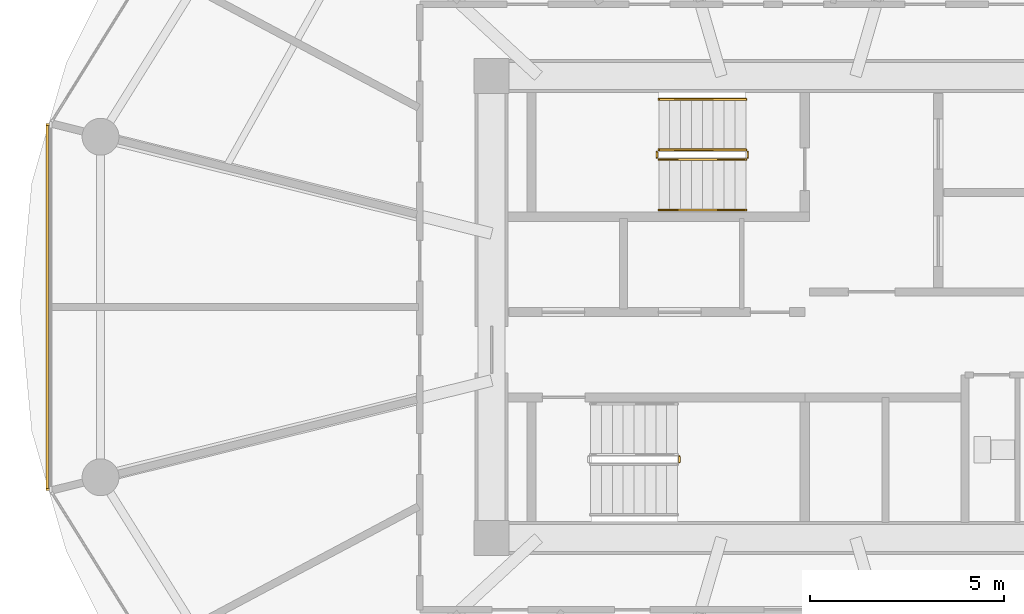
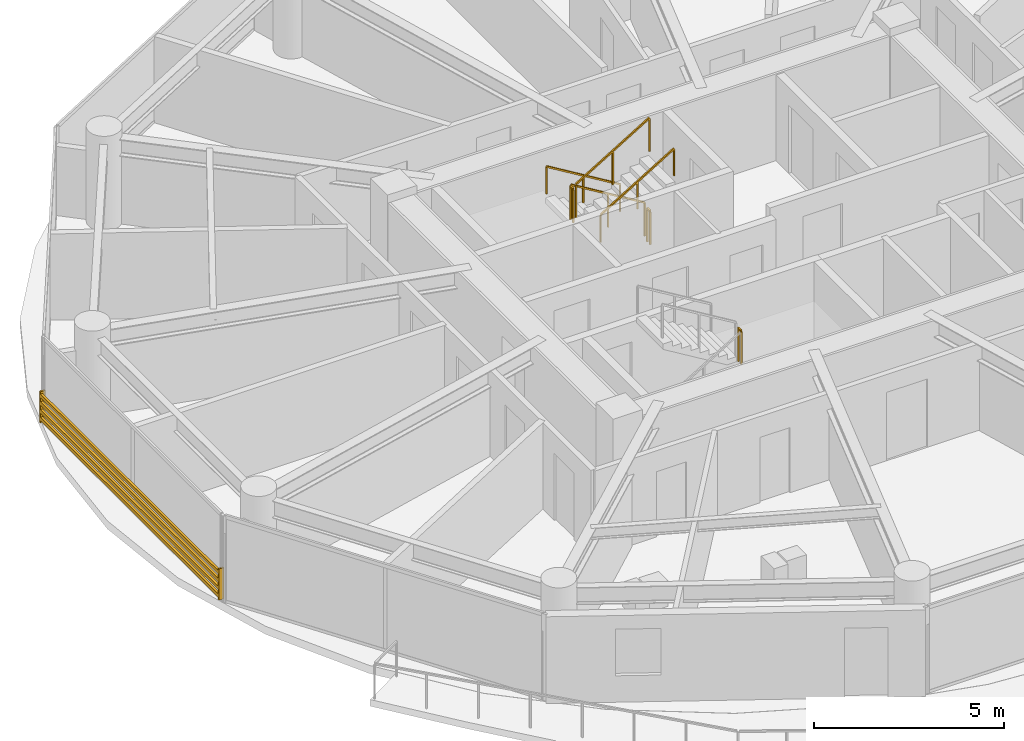
# One storey, part 23 of 27: 7 railings, 1 shading device.
"""IFC4 building model written with IfcOpenShell, lengths in metres."""

import ifcopenshell
import ifcopenshell.guid

model = None  # the IFC model being written
_history = None  # IfcOwnerHistory: only IFC2X3 demands one
_inside = {}  # id of a spatial element -> (the spatial element, [elements in it])
_under = {}  # id of a project, library or spatial element -> (it, [spatial elements below it])
_declared = {}  # id of a project -> (the project, [libraries it declares])
_typed = {}  # id of a type object -> (the type object, [elements of that type])
_made_of = {}  # id of a material, layer set ... -> (it, [elements and type objects made of it])


def new_model(schema):
    """Start an empty IFC model of exactly this schema.

    Asked for "IFC4X3", IfcOpenShell would pick the latest addendum, in which some entities
    have other attributes; the version numbers below select the first issue.
    IFC2X3 requires an IfcOwnerHistory on every rooted entity: one is made here for all.
    """
    global model, _history
    if schema == "IFC4X3":
        model = ifcopenshell.file(schema_version=(4, 3, 0, 0))
    else:
        model = ifcopenshell.file(schema=schema)
    _inside.clear()
    _under.clear()
    _declared.clear()
    _typed.clear()
    _made_of.clear()
    _history = None
    if model.schema == "IFC2X3":
        org = make("IfcOrganization", Name="unknown")
        user = make(
            "IfcPersonAndOrganization",
            ThePerson=make("IfcPerson", FamilyName="unknown"),
            TheOrganization=org,
        )
        app = make(
            "IfcApplication",
            ApplicationDeveloper=org,
            Version="unknown",
            ApplicationFullName="unknown",
            ApplicationIdentifier="unknown",
        )
        _history = make(
            "IfcOwnerHistory",
            OwningUser=user,
            OwningApplication=app,
            ChangeAction="ADDED",
            CreationDate=0,
        )
    return model


def make(cls, **values):
    """One entity of the class cls with the attributes given. An attribute that is None is left unset."""
    return model.create_entity(
        cls, **{name: value for name, value in values.items() if value is not None}
    )


def rooted(cls, **values):
    """An entity with a GlobalId (a new one), such as an element, a storey or a relation."""
    return make(cls, GlobalId=ifcopenshell.guid.new(), OwnerHistory=_history, **values)


def si_unit(unit_type, name, prefix=None):
    """IfcSIUnit, for example si_unit("LENGTHUNIT", "METRE", prefix="MILLI")."""
    return make("IfcSIUnit", UnitType=unit_type, Prefix=prefix, Name=name)


def assignment(units):
    """IfcUnitAssignment: the units of a project."""
    return None if units is None else make("IfcUnitAssignment", Units=units)


def point(xyz):
    """IfcCartesianPoint."""
    return None if xyz is None else make("IfcCartesianPoint", Coordinates=xyz)


def direction(xyz):
    """IfcDirection."""
    return None if xyz is None else make("IfcDirection", DirectionRatios=xyz)


def frame(location, z_axis=None, x_axis=None):
    """IfcAxis2Placement3D, a coordinate frame: its origin and axes. An axis left out is left unset."""
    return make(
        "IfcAxis2Placement3D",
        Location=point(location),
        Axis=direction(z_axis),
        RefDirection=direction(x_axis),
    )


def frame_2d(location, x_axis=None):
    """IfcAxis2Placement2D, a coordinate frame in the plane: its origin and x axis."""
    return make(
        "IfcAxis2Placement2D", Location=point(location), RefDirection=direction(x_axis)
    )


def origin():
    """The frame at (0, 0, 0) with its axes left unset."""
    return frame((0.0, 0.0, 0.0))


def origin_2d():
    """The frame at (0, 0) in the plane with its x axis left unset."""
    return frame_2d((0.0, 0.0))


def place(relative_to, where):
    """IfcLocalPlacement: puts the frame where relative to a parent placement (None: the world)."""
    return make(
        "IfcLocalPlacement", PlacementRelTo=relative_to, RelativePlacement=where
    )


def context(
    kind, dimensions, precision=None, world=None, true_north=None, identifier=None
):
    """IfcGeometricRepresentationContext, for example the 3D "Model" context."""
    return make(
        "IfcGeometricRepresentationContext",
        ContextIdentifier=identifier,
        ContextType=kind,
        CoordinateSpaceDimension=dimensions,
        Precision=precision,
        WorldCoordinateSystem=world,
        TrueNorth=true_north,
    )


def subcontext(parent, identifier, kind, view, scale=None):
    """IfcGeometricRepresentationSubContext, for example "Body" below "Model"."""
    return make(
        "IfcGeometricRepresentationSubContext",
        ContextIdentifier=identifier,
        ContextType=kind,
        ParentContext=parent,
        TargetScale=scale,
        TargetView=view,
    )


def project(units=None, contexts=None):
    """IfcProject with its units and contexts."""
    return rooted(
        "IfcProject",
        Name="project",
        RepresentationContexts=contexts,
        UnitsInContext=assignment(units),
    )


def spatial(cls, under=None, at=None, **own):
    """A site, building, storey or space (cls), placed at a placement, below another one or the project."""
    s = rooted(cls, ObjectPlacement=at, **own)
    if under is not None:
        _under.setdefault(under.id(), (under, []))[1].append(s)
    return s


def profile(cls, at=None, kind="AREA", **sizes):
    """A parametric profile (cls). Its sizes go by their IFC names, for example OverallWidth=200.0."""
    return make(cls, ProfileType=kind, Position=at, **sizes)


def rectangle(**sizes):
    """IfcRectangleProfileDef."""
    return profile("IfcRectangleProfileDef", **sizes)


def extrude(swept, where, along, depth):
    """IfcExtrudedAreaSolid: the profile swept, set in the frame where, extruded along a direction by depth."""
    return make(
        "IfcExtrudedAreaSolid",
        SweptArea=swept,
        Position=where,
        ExtrudedDirection=direction(along),
        Depth=depth,
    )


def shape(context_of_items, identifier, shape_type, items):
    """IfcShapeRepresentation: the items that make up one representation, for example the "Body"."""
    return make(
        "IfcShapeRepresentation",
        ContextOfItems=context_of_items,
        RepresentationIdentifier=identifier,
        RepresentationType=shape_type,
        Items=items,
    )


def source(mapping_origin, context_of_items, identifier, shape_type, items):
    """IfcRepresentationMap: a shape defined once, which mapped items show again and again."""
    return make(
        "IfcRepresentationMap",
        MappingOrigin=mapping_origin,
        MappedRepresentation=shape(context_of_items, identifier, shape_type, items),
    )


def transform(
    local_origin,
    x_axis=None,
    y_axis=None,
    z_axis=None,
    scale=None,
    scale2=None,
    scale3=None,
    uniform=True,
):
    """IfcCartesianTransformationOperator3D, or its non-uniform kind. x_axis, y_axis, z_axis: its Axis1, 2, 3."""
    if uniform:
        return make(
            "IfcCartesianTransformationOperator3D",
            Axis1=direction(x_axis),
            Axis2=direction(y_axis),
            LocalOrigin=point(local_origin),
            Scale=scale,
            Axis3=direction(z_axis),
        )
    return make(
        "IfcCartesianTransformationOperator3DnonUniform",
        Axis1=direction(x_axis),
        Axis2=direction(y_axis),
        LocalOrigin=point(local_origin),
        Scale=scale,
        Axis3=direction(z_axis),
        Scale2=scale2,
        Scale3=scale3,
    )


def mapped(mapping_source, mapping_target):
    """IfcMappedItem: shows the shape of a source again, moved by a transform."""
    return make(
        "IfcMappedItem", MappingSource=mapping_source, MappingTarget=mapping_target
    )


def material(Name=None, Category=None):
    """IfcMaterial."""
    return make("IfcMaterial", Name=Name, Category=Category)


def made_of(thing, what):
    """Note that an element or type object is made of a material, layer set ...; save() writes the relation."""
    if what is not None:
        _made_of.setdefault(what.id(), (what, []))[1].append(thing)
    return thing


def type_object(cls, material=None, **own):
    """A type object (cls), such as IfcWallType, which elements share."""
    return made_of(rooted(cls, **own), material)


def type_shapes(of_type, sources):
    """Give a type object the sources (RepresentationMaps) that its elements show as mapped items."""
    of_type.RepresentationMaps = sources


def element(
    cls,
    number,
    at=None,
    inside=None,
    cuts=None,
    type_object=None,
    material=None,
    context=None,
    identifier="Body",
    shape_type=None,
    held_by="IfcProductDefinitionShape",
    body=None,
    shapes=None,
    **own,
):
    """One element of the class cls, such as IfcWall. Its Tag is "e" and its number.

    at: its placement. inside: the storey or other place that contains it. cuts: it is an
    opening in that element (IfcRelVoidsElement). A single representation is given by context,
    identifier, shape_type and body (its items); several are given by shapes. held_by: the class
    of the entity that holds the representations. save() writes the other relations.
    """
    e = rooted(cls, Tag="e%d" % number, ObjectPlacement=at, **own)
    if body is not None:
        shapes = [shape(context, identifier, shape_type, body)]
    if shapes is not None:
        e.Representation = make(held_by, Representations=shapes)
    if inside is not None:
        _inside.setdefault(inside.id(), (inside, []))[1].append(e)
    if cuts is not None:
        rooted(
            "IfcRelVoidsElement", RelatingBuildingElement=cuts, RelatedOpeningElement=e
        )
    if type_object is not None:
        _typed.setdefault(type_object.id(), (type_object, []))[1].append(e)
    return made_of(e, material)


def aggregate(whole, parts):
    """IfcRelAggregates: a whole, such as a stair, and the parts it consists of."""
    return rooted("IfcRelAggregates", RelatingObject=whole, RelatedObjects=parts)


def save(model, path):
    """Write the relations noted so far, then the file.

    IfcRelAggregates (storeys below a building ...), IfcRelContainedInSpatialStructure (elements
    in a storey), IfcRelDefinesByType, IfcRelAssociatesMaterial and IfcRelDeclares: one each for
    every whole, place, type object, material and project.
    """
    for whole, parts in _under.values():
        aggregate(whole, parts)
    for where, things in _inside.values():
        rooted(
            "IfcRelContainedInSpatialStructure",
            RelatedElements=things,
            RelatingStructure=where,
        )
    for kind, things in _typed.values():
        rooted("IfcRelDefinesByType", RelatedObjects=things, RelatingType=kind)
    for what, things in _made_of.values():
        rooted("IfcRelAssociatesMaterial", RelatedObjects=things, RelatingMaterial=what)
    for by, libraries in _declared.values():
        rooted("IfcRelDeclares", RelatingContext=by, RelatedDefinitions=libraries)
    model.write(path)


model = new_model("IFC4")

# Units and contexts
model_context = context("Model", 3, precision=1e-05, world=origin(), true_north=direction((0.0, 1.0)))
body_context = subcontext(model_context, "Body", "Model", "MODEL_VIEW")
ifc_project = project(units=[si_unit("LENGTHUNIT", "METRE"), si_unit("AREAUNIT", "SQUARE_METRE"), si_unit("VOLUMEUNIT", "CUBIC_METRE"), si_unit("PLANEANGLEUNIT", "RADIAN"), si_unit("MASSUNIT", "GRAM", prefix="KILO")], contexts=[model_context])

# Site, building, storey
site_placement = place(None, origin())
site = spatial("IfcSite", under=ifc_project, at=site_placement, CompositionType="ELEMENT")
building_placement = place(site_placement, origin())
building = spatial("IfcBuilding", under=site, at=building_placement, Name="Norrkilde Senior Care Towers", CompositionType="ELEMENT")
storey_placement = place(building_placement, frame((0.0, 0.0, 52.10009765625)))
storey = spatial("IfcBuildingStorey", under=building, at=storey_placement, Name="L15", CompositionType="ELEMENT", Elevation=52.10009765625)

# Railings
ifc_material_1 = material(Name="Stainless Steel", Category="steel")
railing_type_1 = type_object("IfcRailingType", Name="Stair and Terrace Guardrail 1100", PredefinedType="GUARDRAIL", material=ifc_material_1)
railing_1_placement = place(storey_placement, frame((-29.10009765625, 4.050048828125, 0.16943359375)))
element("IfcRailing", 1, at=railing_1_placement, inside=storey, type_object=railing_type_1, Name="L15 ST-W1 stair guard 1", PredefinedType="GUARDRAIL", context=body_context, shape_type="SweptSolid", body=[
    extrude(rectangle(XDim=0.048095703125, YDim=0.048095703125, at=origin_2d()), frame((0.0, 0.0, 1.076171875), z_axis=(-0.855553338991, 0.0, 0.51771467445), x_axis=(0.0, -1.0, 0.0)), (0.0, 0.0, 1.0), 2.6181640625),
    extrude(rectangle(XDim=0.0419921875, YDim=0.0419921875, at=origin_2d()), origin(), (0.0, 0.0, 1.0), 1.050048828125),
    extrude(rectangle(XDim=0.0419921875, YDim=0.0419921875, at=origin_2d()), frame((-1.1201171875, 0.0, 0.677734375)), (0.0, 0.0, 1.0), 1.050048828125),
    extrude(rectangle(XDim=0.0419921875, YDim=0.0419921875, at=origin_2d()), frame((-2.239990234375, 0.0, 1.35546875)), (0.0, 0.0, 1.0), 1.050048828125),
])
railing_2_placement = place(storey_placement, frame((-31.389892578125, 4.0, 1.52490234375)))
element("IfcRailing", 2, at=railing_2_placement, inside=storey, type_object=railing_type_1, Name="L15 ST-W1 stair guard 2", PredefinedType="GUARDRAIL", context=body_context, shape_type="SweptSolid", body=[
    extrude(rectangle(XDim=0.048095703125, YDim=0.048095703125, at=origin_2d()), frame((0.0, 0.0, 1.076171875), z_axis=(0.0, -1.0, 0.0), x_axis=(1.0, 0.0, 0.0)), (0.0, 0.0, 1.0), 0.14990234375),
    extrude(rectangle(XDim=0.0419921875, YDim=0.0419921875, at=origin_2d()), origin(), (0.0, 0.0, 1.0), 1.050048828125),
    extrude(rectangle(XDim=0.0419921875, YDim=0.0419921875, at=origin_2d()), frame((0.0, -0.14990234375, 0.0)), (0.0, 0.0, 1.0), 1.050048828125),
])
railing_3_placement = place(storey_placement, frame((-31.340087890625, 3.800048828125, 1.6943359375)))
element("IfcRailing", 3, at=railing_3_placement, inside=storey, type_object=railing_type_1, Name="L15 ST-W1 stair guard 3", PredefinedType="GUARDRAIL", context=body_context, shape_type="SweptSolid", body=[
    extrude(rectangle(XDim=0.048095703125, YDim=0.048095703125, at=origin_2d()), frame((0.0, 0.0, 1.076171875), z_axis=(0.855553338991, 0.0, 0.51771467445), x_axis=(0.0, 1.0, 0.0)), (0.0, 0.0, 1.0), 2.6181640625),
    extrude(rectangle(XDim=0.0419921875, YDim=0.0419921875, at=origin_2d()), origin(), (0.0, 0.0, 1.0), 1.050048828125),
    extrude(rectangle(XDim=0.0419921875, YDim=0.0419921875, at=origin_2d()), frame((1.1201171875, 0.0, 0.677734375)), (0.0, 0.0, 1.0), 1.050048828125),
    extrude(rectangle(XDim=0.0419921875, YDim=0.0419921875, at=origin_2d()), frame((2.239990234375, 0.0, 1.35546875)), (0.0, 0.0, 1.0), 1.050048828125),
])
railing_4_placement = place(storey_placement, frame((-29.050048828125, 4.0, 0.0)))
element("IfcRailing", 4, at=railing_4_placement, inside=storey, type_object=railing_type_1, Name="L15 ST-W1 stair guard 4", PredefinedType="GUARDRAIL", context=body_context, shape_type="SweptSolid", body=[
    extrude(rectangle(XDim=0.048095703125, YDim=0.048095703125, at=origin_2d()), frame((0.0, 0.0, 1.076171875), z_axis=(0.0, -1.0, 0.0), x_axis=(1.0, 0.0, 0.0)), (0.0, 0.0, 1.0), 0.14990234375),
    extrude(rectangle(XDim=0.0419921875, YDim=0.0419921875, at=origin_2d()), origin(), (0.0, 0.0, 1.0), 1.050048828125),
    extrude(rectangle(XDim=0.0419921875, YDim=0.0419921875, at=origin_2d()), frame((0.0, -0.14990234375, 0.0)), (0.0, 0.0, 1.0), 1.050048828125),
])
railing_5_placement = place(storey_placement, frame((-30.81005859375, -4.0, 1.52490234375)))
element("IfcRailing", 5, at=railing_5_placement, inside=storey, type_object=railing_type_1, Name="L15 ST-W2 stair guard 2", PredefinedType="GUARDRAIL", context=body_context, shape_type="SweptSolid", body=[
    extrude(rectangle(XDim=0.048095703125, YDim=0.048095703125, at=origin_2d()), frame((0.0, 0.0, 1.076171875), z_axis=(0.0, 1.0, 0.0), x_axis=(-1.0, 0.0, 0.0)), (0.0, 0.0, 1.0), 0.14990234375),
    extrude(rectangle(XDim=0.0419921875, YDim=0.0419921875, at=origin_2d()), origin(), (0.0, 0.0, 1.0), 1.050048828125),
    extrude(rectangle(XDim=0.0419921875, YDim=0.0419921875, at=origin_2d()), frame((0.0, 0.14990234375, 0.0)), (0.0, 0.0, 1.0), 1.050048828125),
])
ifc_material_2 = material(Name="Nordic Ash Timber", Category="wood")
railing_type_2 = type_object("IfcRailingType", Name="Wall and Stair Handrail 900", PredefinedType="HANDRAIL", material=ifc_material_2)
railing_6_placement = place(storey_placement, frame((-29.10009765625, 5.35009765625, 0.16943359375)))
element("IfcRailing", 6, at=railing_6_placement, inside=storey, type_object=railing_type_2, Name="L15 ST-W1 stair handrail 1", PredefinedType="HANDRAIL", context=body_context, shape_type="SweptSolid", body=[
    extrude(rectangle(XDim=0.048095703125, YDim=0.048095703125, at=origin_2d()), frame((0.0, 0.0, 0.8759765625), z_axis=(-0.855553338991, 0.0, 0.51771467445), x_axis=(0.0, -1.0, 0.0)), (0.0, 0.0, 1.0), 2.6181640625),
    extrude(rectangle(XDim=0.0419921875, YDim=0.0419921875, at=origin_2d()), origin(), (0.0, 0.0, 1.0), 0.849853515625),
    extrude(rectangle(XDim=0.0419921875, YDim=0.0419921875, at=origin_2d()), frame((-1.1201171875, 0.0, 0.677734375)), (0.0, 0.0, 1.0), 0.849853515625),
    extrude(rectangle(XDim=0.0419921875, YDim=0.0419921875, at=origin_2d()), frame((-2.239990234375, 0.0, 1.35546875)), (0.0, 0.0, 1.0), 0.849853515625),
])
railing_7_placement = place(storey_placement, frame((-31.340087890625, 2.5, 1.6943359375)))
element("IfcRailing", 7, at=railing_7_placement, inside=storey, type_object=railing_type_2, Name="L15 ST-W1 stair handrail 2", PredefinedType="HANDRAIL", context=body_context, shape_type="SweptSolid", body=[
    extrude(rectangle(XDim=0.048095703125, YDim=0.048095703125, at=origin_2d()), frame((0.0, 0.0, 0.8759765625), z_axis=(0.855553338991, 0.0, 0.51771467445), x_axis=(0.0, 1.0, 0.0)), (0.0, 0.0, 1.0), 2.6181640625),
    extrude(rectangle(XDim=0.0419921875, YDim=0.0419921875, at=origin_2d()), origin(), (0.0, 0.0, 1.0), 0.849853515625),
    extrude(rectangle(XDim=0.0419921875, YDim=0.0419921875, at=origin_2d()), frame((1.1201171875, 0.0, 0.677734375)), (0.0, 0.0, 1.0), 0.849853515625),
    extrude(rectangle(XDim=0.0419921875, YDim=0.0419921875, at=origin_2d()), frame((2.239990234375, 0.0, 1.35546875)), (0.0, 0.0, 1.0), 0.849853515625),
])

# Shading device
ifc_material_3 = material(Name="Architectural Terracotta", Category="masonry")
shading_device_type = type_object("IfcShadingDeviceType", Name="Horizontal Terracotta Baguette Rack", PredefinedType="USERDEFINED", material=ifc_material_3)
shared_shape = source(origin(), body_context, "Body", "SweptSolid", [
    extrude(rectangle(XDim=0.070068359375, YDim=0.110107421875, at=origin_2d()), frame((0.0, 0.090087890625, 0.125), z_axis=(1.0, 0.0, 0.0), x_axis=(0.0, 1.0, 0.0)), (0.0, 0.0, 1.0), 9.46240234375),
    extrude(rectangle(XDim=0.070068359375, YDim=0.110107421875, at=origin_2d()), frame((0.0, 0.090087890625, 0.375), z_axis=(1.0, 0.0, 0.0), x_axis=(0.0, 1.0, 0.0)), (0.0, 0.0, 1.0), 9.46240234375),
    extrude(rectangle(XDim=0.070068359375, YDim=0.110107421875, at=origin_2d()), frame((0.0, 0.090087890625, 0.625), z_axis=(1.0, 0.0, 0.0), x_axis=(0.0, 1.0, 0.0)), (0.0, 0.0, 1.0), 9.46240234375),
    extrude(rectangle(XDim=0.070068359375, YDim=0.110107421875, at=origin_2d()), frame((0.0, 0.090087890625, 0.875), z_axis=(1.0, 0.0, 0.0), x_axis=(0.0, 1.0, 0.0)), (0.0, 0.0, 1.0), 9.46240234375),
    extrude(rectangle(XDim=0.050048828125, YDim=0.1552734375, at=origin_2d()), frame((0.02490234375, 0.047607421875, 0.0)), (0.0, 0.0, 1.0), 1.0),
    extrude(rectangle(XDim=0.050048828125, YDim=0.1552734375, at=origin_2d()), frame((9.4375, 0.047607421875, 0.0)), (0.0, 0.0, 1.0), 1.0),
])
type_shapes(shading_device_type, [shared_shape])
shading_device_placement = place(storey_placement, frame((-47.009521484375, -4.731201171875, 0.079833984375), z_axis=(0.0, 0.0, 1.0), x_axis=(0.0, 1.0, 0.0)))
element("IfcShadingDevice", 8, at=shading_device_placement, inside=storey, type_object=shading_device_type, Name="L15 Drum W Terracotta Baguette Screen 05", ObjectType="BAGUETTE", PredefinedType="USERDEFINED", context=body_context, shape_type="MappedRepresentation", body=[
    mapped(shared_shape, transform((0.0, 0.0, 0.0), x_axis=(1.0, 0.0, 0.0), y_axis=(0.0, 1.0, 0.0), z_axis=(0.0, 0.0, 1.0), scale=1.0)),
])

save(model, "model.ifc")
